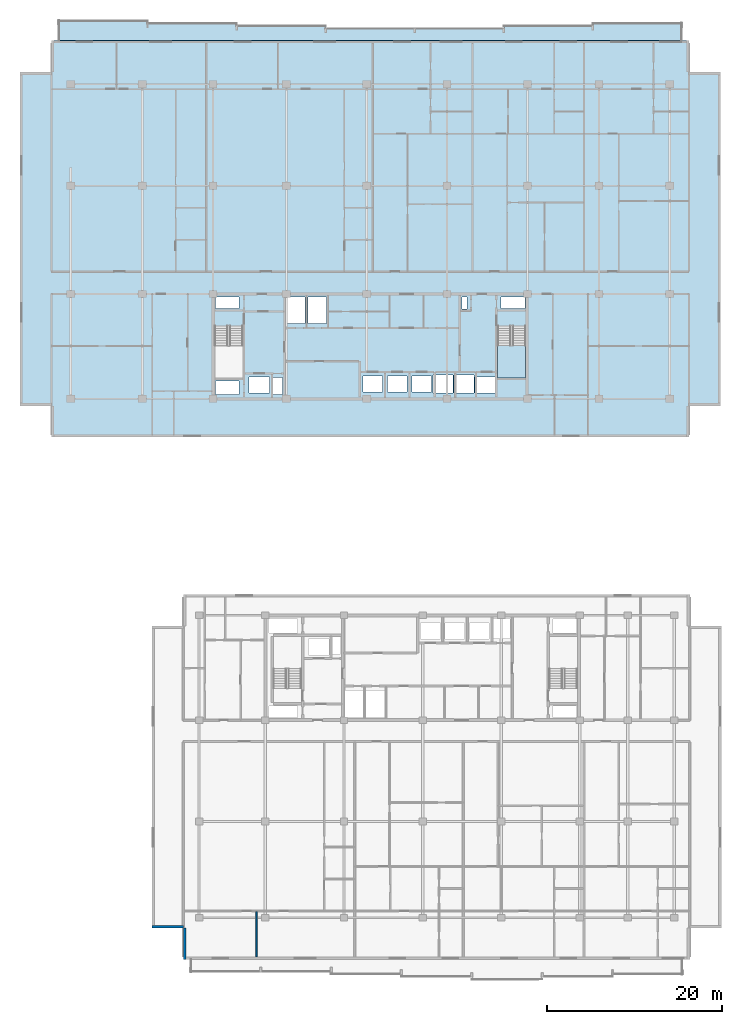
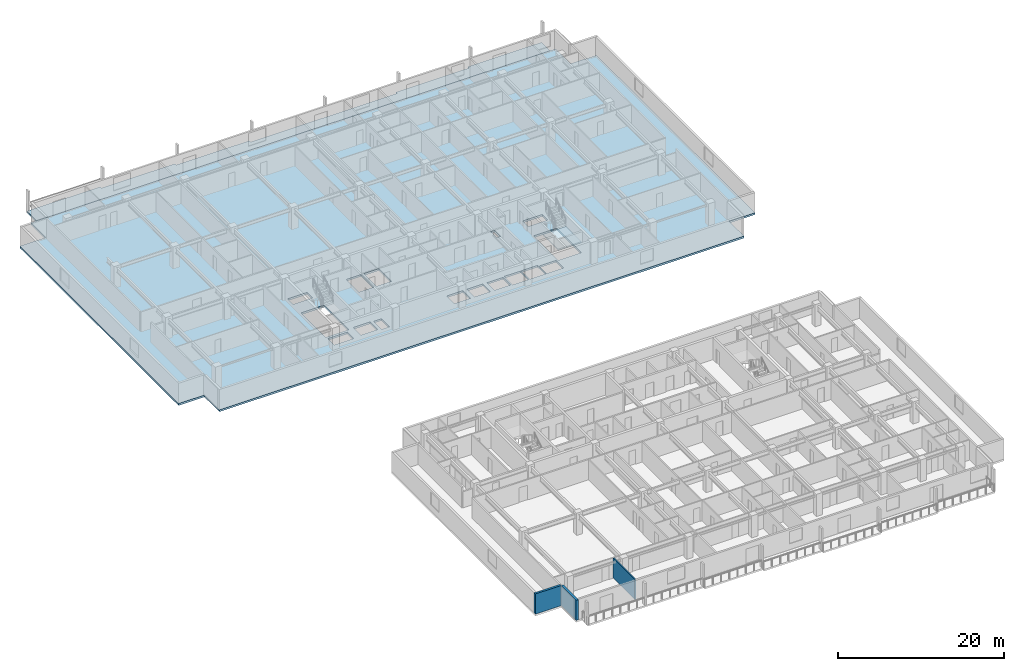
# One storey, part 3 of 21: 3 slabs, 3 walls, 1 element without a shape of its own.
"""IFC4 building model written with IfcOpenShell, lengths in metres."""

from ifc_helpers import new_model, si_unit, direction, frame, frame_2d, origin, place, context, subcontext, project, spatial, polyline, rectangle, outline, extrude, material, layer, layer_set, type_object, element, aggregate, save


model = new_model("IFC4")

# Units and contexts
model_context = context("Model", 3, precision=1e-05, world=origin(), true_north=direction((0.0, 1.0)))
body_context = subcontext(model_context, "Body", "Model", "MODEL_VIEW")
ifc_project = project(units=[si_unit("LENGTHUNIT", "METRE"), si_unit("AREAUNIT", "SQUARE_METRE"), si_unit("VOLUMEUNIT", "CUBIC_METRE"), si_unit("PLANEANGLEUNIT", "RADIAN"), si_unit("MASSUNIT", "GRAM", prefix="KILO")], contexts=[model_context])

# Site, building, storey
site_placement = place(None, origin())
site = spatial("IfcSite", under=ifc_project, at=site_placement, CompositionType="ELEMENT")
building_placement = place(site_placement, origin())
building = spatial("IfcBuilding", under=site, at=building_placement, Name="Korimba Cascade Residences", CompositionType="ELEMENT")
storey_placement = place(building_placement, frame((0.0, 0.0, 113.300048828125)))
storey = spatial("IfcBuildingStorey", under=building, at=storey_placement, Name="L32", CompositionType="ELEMENT", Elevation=113.300048828125)

# Stair, slab
ifc_material_1 = material(Name="Concrete C50/60", Category="concrete")
stair_type = type_object("IfcStairType", Name="STR-W2-18R-1806", PredefinedType="HALF_TURN_STAIR", material=ifc_material_1)
stair_placement = place(storey_placement, origin())
stair = element("IfcStair", 1, at=stair_placement, inside=storey, type_object=stair_type, Name="L32 Tower 1 East Fire Stair ST-W2", PredefinedType="HALF_TURN_STAIR")
ifc_layer_1 = layer(ifc_material_1, 0.199951171875)
ifc_layer_set_1 = layer_set([ifc_layer_1], Name="Concrete C50/60")
slab_type_1 = type_object("IfcSlabType", Name="SLB-LND-220", PredefinedType="LANDING", material=ifc_layer_set_1)
slab_1_placement = place(storey_placement, frame((0.0, 0.0, 1.425048828125)))
slab_1 = element("IfcSlab", 2, at=slab_1_placement, type_object=slab_type_1, Name="ST-W2 landing 1", PredefinedType="LANDING", context=body_context, shape_type="SweptSolid", body=[
    extrude(outline(polyline([(108.659912109375, 61.31005859375), (108.659912109375, 57.60009765625), (111.89990234375, 57.60009765625), (111.89990234375, 61.31005859375), (108.659912109375, 61.31005859375)])), origin(), (0.0, 0.0, 1.0), 0.199951171875),
])
aggregate(stair, [slab_1])

# Slabs
ifc_material_2 = material(Name="Precast concrete C40/50", Category="concrete")
ifc_layer_2 = layer(ifc_material_2, 0.239990234375)
ifc_layer_set_2 = layer_set([ifc_layer_2], Name="Precast concrete C40/50")
slab_type_2 = type_object("IfcSlabType", Name="SLB-LOG-240", PredefinedType="FLOOR", material=ifc_layer_set_2)
slab_2_placement = place(storey_placement, frame((0.0, 0.0, -0.239990234375)))
element("IfcSlab", 3, at=slab_2_placement, inside=storey, type_object=slab_type_2, Name="L32 Tower 1 North Loggia Slab", PredefinedType="FLOOR", context=body_context, shape_type="SweptSolid", body=[
    extrude(outline(polyline([(58.39990234375, 96.199951171875), (129.800048828125, 96.199951171875), (129.800048828125, 98.25), (119.60009765625, 98.25), (119.60009765625, 97.949951171875), (109.39990234375, 97.949951171875), (109.39990234375, 97.64990234375), (89.0, 97.64990234375), (89.0, 97.949951171875), (78.800048828125, 97.949951171875), (78.800048828125, 98.25), (68.60009765625, 98.25), (68.60009765625, 98.550048828125), (58.39990234375, 98.550048828125), (58.39990234375, 96.199951171875)])), origin(), (0.0, 0.0, 1.0), 0.239990234375),
])
ifc_layer_3 = layer(ifc_material_1, 0.280029296875)
ifc_layer_set_3 = layer_set([ifc_layer_3], Name="Concrete C50/60")
slab_type_3 = type_object("IfcSlabType", Name="SLB-TYP-280", PredefinedType="FLOOR", material=ifc_layer_set_3)
slab_3_placement = place(storey_placement, frame((0.0, 0.0, -0.280029296875)))
element("IfcSlab", 4, at=slab_3_placement, inside=storey, type_object=slab_type_3, Name="L32 Tower 1 Floor Slab", PredefinedType="FLOOR", context=body_context, shape_type="SweptSolid", body=[
    extrude(outline(polyline([(57.60009765625, 50.800048828125), (130.60009765625, 50.800048828125), (130.60009765625, 54.39990234375), (134.199951171875, 54.39990234375), (134.199951171875, 92.60009765625), (130.60009765625, 92.60009765625), (130.60009765625, 96.199951171875), (57.60009765625, 96.199951171875), (57.60009765625, 92.60009765625), (54.0, 92.60009765625), (54.0, 54.39990234375), (57.60009765625, 54.39990234375), (57.60009765625, 50.800048828125)]), holes=[polyline([(76.300048828125, 63.514892578125), (76.300048828125, 57.60009765625), (79.5400390625, 57.60009765625), (79.5400390625, 63.514892578125), (76.300048828125, 63.514892578125)]), polyline([(108.659912109375, 63.514892578125), (108.659912109375, 57.60009765625), (111.89990234375, 57.60009765625), (111.89990234375, 63.514892578125), (108.659912109375, 63.514892578125)]), polyline([(80.22998046875, 55.8798828125), (82.570068359375, 55.8798828125), (82.570068359375, 57.719970703125), (80.22998046875, 57.719970703125), (80.22998046875, 55.8798828125)]), polyline([(106.080078125, 55.8798828125), (108.419921875, 55.8798828125), (108.419921875, 57.719970703125), (106.080078125, 57.719970703125), (106.080078125, 55.8798828125)]), polyline([(93.280029296875, 55.97998046875), (95.52001953125, 55.97998046875), (95.52001953125, 57.820068359375), (93.280029296875, 57.820068359375), (93.280029296875, 55.97998046875)]), polyline([(96.080078125, 55.97998046875), (98.320068359375, 55.97998046875), (98.320068359375, 57.820068359375), (96.080078125, 57.820068359375), (96.080078125, 55.97998046875)]), polyline([(98.8798828125, 55.97998046875), (101.1201171875, 55.97998046875), (101.1201171875, 57.820068359375), (98.8798828125, 57.820068359375), (98.8798828125, 55.97998046875)]), polyline([(101.304931640625, 55.8798828125), (103.594970703125, 55.8798828125), (103.594970703125, 57.919921875), (101.304931640625, 57.919921875), (101.304931640625, 55.8798828125)]), polyline([(103.705078125, 55.8798828125), (105.9951171875, 55.8798828125), (105.9951171875, 57.919921875), (103.705078125, 57.919921875), (103.705078125, 55.8798828125)]), polyline([(82.97998046875, 55.679931640625), (84.080078125, 55.679931640625), (84.080078125, 57.6201171875), (82.97998046875, 57.6201171875), (82.97998046875, 55.679931640625)]), polyline([(76.39990234375, 65.56005859375), (79.10009765625, 65.56005859375), (79.10009765625, 66.8798828125), (76.39990234375, 66.8798828125), (76.39990234375, 65.56005859375)]), polyline([(76.39990234375, 55.679931640625), (79.10009765625, 55.679931640625), (79.10009765625, 57.239990234375), (76.39990234375, 57.239990234375), (76.39990234375, 55.679931640625)]), polyline([(84.530029296875, 63.820068359375), (86.6201171875, 63.820068359375), (86.6201171875, 66.8798828125), (84.530029296875, 66.8798828125), (84.530029296875, 63.820068359375)]), polyline([(86.97998046875, 63.820068359375), (89.070068359375, 63.820068359375), (89.070068359375, 66.8798828125), (86.97998046875, 66.8798828125), (86.97998046875, 63.820068359375)]), polyline([(104.6201171875, 65.4599609375), (105.179931640625, 65.4599609375), (105.179931640625, 66.8798828125), (104.6201171875, 66.8798828125), (104.6201171875, 65.4599609375)]), polyline([(109.080078125, 65.56005859375), (111.800048828125, 65.56005859375), (111.800048828125, 66.8798828125), (109.080078125, 66.8798828125), (109.080078125, 65.56005859375)])]), origin(), (0.0, 0.0, 1.0), 0.280029296875),
])

# Walls
ifc_layer_4 = layer(ifc_material_2, 0.300048828125)
ifc_layer_set_4 = layer_set([ifc_layer_4], Name="Precast concrete C40/50")
wall_type_1 = type_object("IfcWallType", Name="EW-STONE-300", PredefinedType="STANDARD", material=ifc_layer_set_4)
wall_1_placement = place(storey_placement, frame((69.10009765625, -5.25, 0.0), z_axis=(0.0, 0.0, 1.0), x_axis=(1.0, 0.0, 0.0)))
element("IfcWall", 5, at=wall_1_placement, inside=storey, type_object=wall_type_1, Name="L32 T2 Perimeter Stone Wall E10", PredefinedType="STANDARD", context=body_context, shape_type="SweptSolid", body=[
    extrude(rectangle(XDim=3.599853515625, YDim=0.300048828125, at=frame_2d((1.7998046875, 0.0))), origin(), (0.0, 0.0, 1.0), 2.969970703125),
])
wall_2_placement = place(storey_placement, frame((72.85009765625, -5.39990234375, 0.0), z_axis=(0.0, 0.0, 1.0), x_axis=(0.0, -1.0, 0.0)))
element("IfcWall", 6, at=wall_2_placement, inside=storey, type_object=wall_type_1, Name="L32 T2 Perimeter Stone Wall E11", PredefinedType="STANDARD", context=body_context, shape_type="SweptSolid", body=[
    extrude(rectangle(XDim=3.60009765625, YDim=0.300048828125, at=frame_2d((1.800048828125, 0.0))), origin(), (0.0, 0.0, 1.0), 2.969970703125),
])
ifc_material_3 = material(Name="Insulated Acoustic Stud Partition", Category="gypsum")
ifc_layer_5 = layer(ifc_material_3, 0.14990234375)
ifc_layer_set_5 = layer_set([ifc_layer_5], Name="Insulated Acoustic Stud Partition")
wall_type_2 = type_object("IfcWallType", Name="WAL-PART-150", PredefinedType="PARTITIONING", material=ifc_layer_set_5)
wall_3_placement = place(storey_placement, frame((81.0966796875, -8.699951171875, 0.0), z_axis=(0.0, 0.0, 1.0), x_axis=(0.0, 1.0, 0.0)))
element("IfcWall", 7, at=wall_3_placement, inside=storey, type_object=wall_type_2, Name="L32 Partition Wall WAL-L32-T2-U01-OUTV", PredefinedType="PARTITIONING", context=body_context, shape_type="SweptSolid", body=[
    extrude(rectangle(XDim=5.169921875, YDim=0.14990234375, at=frame_2d((2.5849609375, 0.0))), origin(), (0.0, 0.0, 1.0), 2.969970703125),
])

save(model, "model.ifc")
